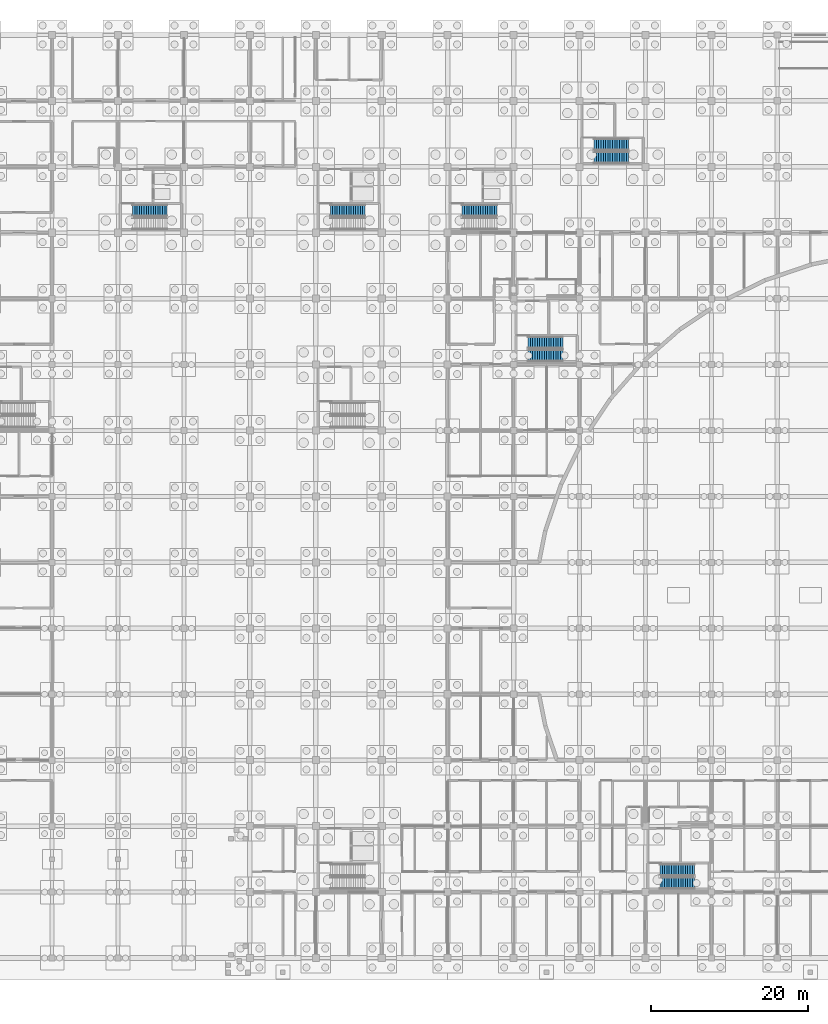
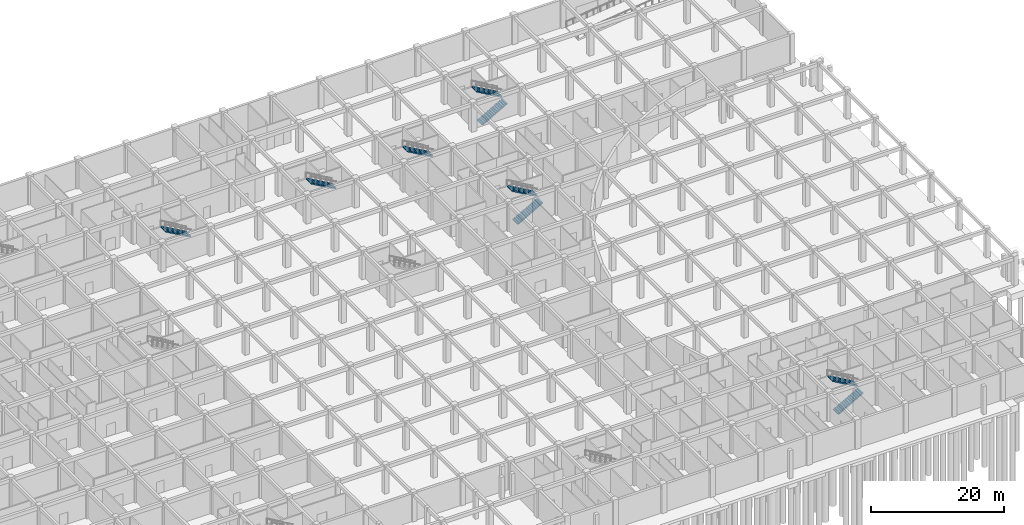
# One storey, part 52 of 65: 9 stair flights, 6 elements without a shape of their own.
"""IFC4 building model written with IfcOpenShell, lengths in metres."""

from ifc_helpers import new_model, si_unit, direction, frame, origin, place, context, subcontext, project, spatial, polyline, outline, extrude, material, type_object, element, aggregate, save


model = new_model("IFC4")

# Units and contexts
model_context = context("Model", 3, precision=1e-05, world=origin(), true_north=direction((0.0, 1.0)))
body_context = subcontext(model_context, "Body", "Model", "MODEL_VIEW")
ifc_project = project(units=[si_unit("LENGTHUNIT", "METRE"), si_unit("AREAUNIT", "SQUARE_METRE"), si_unit("VOLUMEUNIT", "CUBIC_METRE"), si_unit("PLANEANGLEUNIT", "RADIAN"), si_unit("MASSUNIT", "GRAM", prefix="KILO")], contexts=[model_context])

# Site, building, storey
site_placement = place(None, origin())
site = spatial("IfcSite", under=ifc_project, at=site_placement, CompositionType="ELEMENT")
building_placement = place(site_placement, origin())
building = spatial("IfcBuilding", under=site, at=building_placement, Name="Bramfleet General Hospital", CompositionType="ELEMENT")
storey_placement = place(building_placement, frame((0.0, 0.0, -5.39990234375)))
storey = spatial("IfcBuildingStorey", under=building, at=storey_placement, Name="B1", CompositionType="ELEMENT", Elevation=-5.39990234375)

# Stair, stair flight
ifc_material = material(Name="Concrete C35/45", Category="concrete")
stair_type = type_object("IfcStairType", Name="STR-T1", PredefinedType="HALF_TURN_STAIR", material=ifc_material)
stair_1_placement = place(storey_placement, origin())
stair_1 = element("IfcStair", 1, at=stair_1_placement, inside=storey, type_object=stair_type, Name="B1 Core C4 (Central Spine & Helipad Trauma) Protected Escape Stair", PredefinedType="HALF_TURN_STAIR")
stair_flight_type = type_object("IfcStairFlightType", Name="STF-T1", PredefinedType="STRAIGHT", material=ifc_material)
stair_flight_1_placement = place(storey_placement, frame((107.06494140625, 95.22998046875, 2.699951171875), z_axis=(0.0, 0.0, 1.0), x_axis=(-1.0, 0.0, 0.0)))
stair_flight_1 = element("IfcStairFlight", 2, at=stair_flight_1_placement, type_object=stair_flight_type, Name="ST-C4 flight 2", NumberOfRisers=16, NumberOfTreads=15, PredefinedType="STRAIGHT", RiserHeight=0.16875, TreadLength=0.295, context=body_context, shape_type="SweptSolid", body=[
    extrude(outline(polyline([(0.0, 0.0), (0.0, 0.168701171875), (0.294921875, 0.168701171875), (0.294921875, 0.33740234375), (0.590087890625, 0.33740234375), (0.590087890625, 0.50634765625), (0.885009765625, 0.50634765625), (0.885009765625, 0.675048828125), (1.179931640625, 0.675048828125), (1.179931640625, 0.84375), (1.47509765625, 0.84375), (1.47509765625, 1.012451171875), (1.77001953125, 1.012451171875), (1.77001953125, 1.18115234375), (2.06494140625, 1.18115234375), (2.06494140625, 1.35009765625), (2.360107421875, 1.35009765625), (2.360107421875, 1.518798828125), (2.655029296875, 1.518798828125), (2.655029296875, 1.6875), (2.949951171875, 1.6875), (2.949951171875, 1.856201171875), (3.2451171875, 1.856201171875), (3.2451171875, 2.02490234375), (3.5400390625, 2.02490234375), (3.5400390625, 2.19384765625), (3.8349609375, 2.19384765625), (3.8349609375, 2.362548828125), (4.1298828125, 2.362548828125), (4.1298828125, 2.53125), (4.425048828125, 2.53125), (4.425048828125, 2.699951171875), (4.425048828125, 2.346923828125), (0.322021484375, 0.0), (0.0, 0.0)])), frame((0.0, 0.75, 0.0), z_axis=(0.0, -1.0, 0.0), x_axis=(1.0, 0.0, 0.0)), (0.0, 0.0, 1.0), 1.5),
])
aggregate(stair_1, [stair_flight_1])

stair_2_placement = place(storey_placement, origin())
stair_2 = element("IfcStair", 3, at=stair_2_placement, inside=storey, type_object=stair_type, Name="B1 Core C5 (North-West Ward Wing) Protected Escape Stair", PredefinedType="HALF_TURN_STAIR")
stair_flight_2_placement = place(storey_placement, frame((81.864990234375, 95.22998046875, 2.699951171875), z_axis=(0.0, 0.0, 1.0), x_axis=(-1.0, 0.0, 0.0)))
stair_flight_2 = element("IfcStairFlight", 4, at=stair_flight_2_placement, type_object=stair_flight_type, Name="ST-C5 flight 2", NumberOfRisers=16, NumberOfTreads=15, PredefinedType="STRAIGHT", RiserHeight=0.16875, TreadLength=0.295, context=body_context, shape_type="SweptSolid", body=[
    extrude(outline(polyline([(0.0, 0.0), (0.0, 0.168701171875), (0.294921875, 0.168701171875), (0.294921875, 0.33740234375), (0.590087890625, 0.33740234375), (0.590087890625, 0.50634765625), (0.885009765625, 0.50634765625), (0.885009765625, 0.675048828125), (1.179931640625, 0.675048828125), (1.179931640625, 0.84375), (1.47509765625, 0.84375), (1.47509765625, 1.012451171875), (1.77001953125, 1.012451171875), (1.77001953125, 1.18115234375), (2.06494140625, 1.18115234375), (2.06494140625, 1.35009765625), (2.360107421875, 1.35009765625), (2.360107421875, 1.518798828125), (2.655029296875, 1.518798828125), (2.655029296875, 1.6875), (2.949951171875, 1.6875), (2.949951171875, 1.856201171875), (3.2451171875, 1.856201171875), (3.2451171875, 2.02490234375), (3.5400390625, 2.02490234375), (3.5400390625, 2.19384765625), (3.8349609375, 2.19384765625), (3.8349609375, 2.362548828125), (4.1298828125, 2.362548828125), (4.1298828125, 2.53125), (4.425048828125, 2.53125), (4.425048828125, 2.699951171875), (4.425048828125, 2.346923828125), (0.322021484375, 0.0), (0.0, 0.0)])), frame((0.0, 0.75, 0.0), z_axis=(0.0, -1.0, 0.0), x_axis=(1.0, 0.0, 0.0)), (0.0, 0.0, 1.0), 1.5),
])
aggregate(stair_2, [stair_flight_2])

stair_3_placement = place(storey_placement, origin())
stair_3 = element("IfcStair", 5, at=stair_3_placement, inside=storey, type_object=stair_type, Name="B1 Core C6 (North-East Ward & Helipad) Protected Escape Stair", PredefinedType="HALF_TURN_STAIR")
stair_flight_3_placement = place(storey_placement, frame((123.864990234375, 95.22998046875, 2.699951171875), z_axis=(0.0, 0.0, 1.0), x_axis=(-1.0, 0.0, 0.0)))
stair_flight_3 = element("IfcStairFlight", 6, at=stair_flight_3_placement, type_object=stair_flight_type, Name="ST-C6 flight 2", NumberOfRisers=16, NumberOfTreads=15, PredefinedType="STRAIGHT", RiserHeight=0.16875, TreadLength=0.295, context=body_context, shape_type="SweptSolid", body=[
    extrude(outline(polyline([(0.0, 0.0), (0.0, 0.168701171875), (0.294921875, 0.168701171875), (0.294921875, 0.33740234375), (0.590087890625, 0.33740234375), (0.590087890625, 0.50634765625), (0.885009765625, 0.50634765625), (0.885009765625, 0.675048828125), (1.179931640625, 0.675048828125), (1.179931640625, 0.84375), (1.47509765625, 0.84375), (1.47509765625, 1.012451171875), (1.77001953125, 1.012451171875), (1.77001953125, 1.18115234375), (2.06494140625, 1.18115234375), (2.06494140625, 1.35009765625), (2.360107421875, 1.35009765625), (2.360107421875, 1.518798828125), (2.655029296875, 1.518798828125), (2.655029296875, 1.6875), (2.949951171875, 1.6875), (2.949951171875, 1.856201171875), (3.2451171875, 1.856201171875), (3.2451171875, 2.02490234375), (3.5400390625, 2.02490234375), (3.5400390625, 2.19384765625), (3.8349609375, 2.19384765625), (3.8349609375, 2.362548828125), (4.1298828125, 2.362548828125), (4.1298828125, 2.53125), (4.425048828125, 2.53125), (4.425048828125, 2.699951171875), (4.425048828125, 2.346923828125), (0.322021484375, 0.0), (0.0, 0.0)])), frame((0.0, 0.75, 0.0), z_axis=(0.0, -1.0, 0.0), x_axis=(1.0, 0.0, 0.0)), (0.0, 0.0, 1.0), 1.5),
])
aggregate(stair_3, [stair_flight_3])

# Stair, stair flights
stair_4_placement = place(storey_placement, origin())
stair_4 = element("IfcStair", 7, at=stair_4_placement, inside=storey, type_object=stair_type, Name="B1 Core C9 (North-East Ward & Diagnostic Escape) Protected Escape Stair", PredefinedType="HALF_TURN_STAIR")
stair_flight_4_placement = place(storey_placement, frame((136.239990234375, 101.969970703125, 0.0), z_axis=(0.0, 0.0, 1.0), x_axis=(1.0, 0.0, 0.0)))
stair_flight_4 = element("IfcStairFlight", 8, at=stair_flight_4_placement, type_object=stair_flight_type, Name="ST-C9 flight 1", NumberOfRisers=16, NumberOfTreads=15, PredefinedType="STRAIGHT", RiserHeight=0.16875, TreadLength=0.295, context=body_context, shape_type="SweptSolid", body=[
    extrude(outline(polyline([(0.0, 0.0), (0.0, 0.168701171875), (0.294921875, 0.168701171875), (0.294921875, 0.33740234375), (0.590087890625, 0.33740234375), (0.590087890625, 0.50634765625), (0.885009765625, 0.50634765625), (0.885009765625, 0.675048828125), (1.179931640625, 0.675048828125), (1.179931640625, 0.84375), (1.47509765625, 0.84375), (1.47509765625, 1.012451171875), (1.77001953125, 1.012451171875), (1.77001953125, 1.18115234375), (2.06494140625, 1.18115234375), (2.06494140625, 1.35009765625), (2.360107421875, 1.35009765625), (2.360107421875, 1.518798828125), (2.655029296875, 1.518798828125), (2.655029296875, 1.6875), (2.949951171875, 1.6875), (2.949951171875, 1.856201171875), (3.2451171875, 1.856201171875), (3.2451171875, 2.02490234375), (3.5400390625, 2.02490234375), (3.5400390625, 2.19384765625), (3.8349609375, 2.19384765625), (3.8349609375, 2.362548828125), (4.1298828125, 2.362548828125), (4.1298828125, 2.53125), (4.425048828125, 2.53125), (4.425048828125, 2.699951171875), (4.425048828125, 2.346923828125), (0.322021484375, 0.0), (0.0, 0.0)])), frame((0.0, 0.75, 0.0), z_axis=(0.0, -1.0, 0.0), x_axis=(1.0, 0.0, 0.0)), (0.0, 0.0, 1.0), 1.5),
])
stair_flight_5_placement = place(storey_placement, frame((140.6650390625, 103.6298828125, 2.699951171875), z_axis=(0.0, 0.0, 1.0), x_axis=(-1.0, 0.0, 0.0)))
stair_flight_5 = element("IfcStairFlight", 9, at=stair_flight_5_placement, type_object=stair_flight_type, Name="ST-C9 flight 2", NumberOfRisers=16, NumberOfTreads=15, PredefinedType="STRAIGHT", RiserHeight=0.16875, TreadLength=0.295, context=body_context, shape_type="SweptSolid", body=[
    extrude(outline(polyline([(0.0, 0.0), (0.0, 0.168701171875), (0.294921875, 0.168701171875), (0.294921875, 0.33740234375), (0.590087890625, 0.33740234375), (0.590087890625, 0.50634765625), (0.885009765625, 0.50634765625), (0.885009765625, 0.675048828125), (1.179931640625, 0.675048828125), (1.179931640625, 0.84375), (1.47509765625, 0.84375), (1.47509765625, 1.012451171875), (1.77001953125, 1.012451171875), (1.77001953125, 1.18115234375), (2.06494140625, 1.18115234375), (2.06494140625, 1.35009765625), (2.360107421875, 1.35009765625), (2.360107421875, 1.518798828125), (2.655029296875, 1.518798828125), (2.655029296875, 1.6875), (2.949951171875, 1.6875), (2.949951171875, 1.856201171875), (3.2451171875, 1.856201171875), (3.2451171875, 2.02490234375), (3.5400390625, 2.02490234375), (3.5400390625, 2.19384765625), (3.8349609375, 2.19384765625), (3.8349609375, 2.362548828125), (4.1298828125, 2.362548828125), (4.1298828125, 2.53125), (4.425048828125, 2.53125), (4.425048828125, 2.699951171875), (4.425048828125, 2.346923828125), (0.322021484375, 0.0), (0.0, 0.0)])), frame((0.0, 0.75, 0.0), z_axis=(0.0, -1.0, 0.0), x_axis=(1.0, 0.0, 0.0)), (0.0, 0.0, 1.0), 1.5),
])
aggregate(stair_4, [stair_flight_4, stair_flight_5])

stair_5_placement = place(storey_placement, origin())
stair_5 = element("IfcStair", 10, at=stair_5_placement, inside=storey, type_object=stair_type, Name="B1 Core C10 (South-East Clinic & Ward Escape) Protected Escape Stair", PredefinedType="HALF_TURN_STAIR")
stair_flight_6_placement = place(storey_placement, frame((144.639892578125, 9.570068359375, 0.0), z_axis=(0.0, 0.0, 1.0), x_axis=(1.0, 0.0, 0.0)))
stair_flight_6 = element("IfcStairFlight", 11, at=stair_flight_6_placement, type_object=stair_flight_type, Name="ST-C10 flight 1", NumberOfRisers=16, NumberOfTreads=15, PredefinedType="STRAIGHT", RiserHeight=0.16875, TreadLength=0.295, context=body_context, shape_type="SweptSolid", body=[
    extrude(outline(polyline([(0.0, 0.0), (0.0, 0.168701171875), (0.294921875, 0.168701171875), (0.294921875, 0.33740234375), (0.590087890625, 0.33740234375), (0.590087890625, 0.50634765625), (0.885009765625, 0.50634765625), (0.885009765625, 0.675048828125), (1.179931640625, 0.675048828125), (1.179931640625, 0.84375), (1.47509765625, 0.84375), (1.47509765625, 1.012451171875), (1.77001953125, 1.012451171875), (1.77001953125, 1.18115234375), (2.06494140625, 1.18115234375), (2.06494140625, 1.35009765625), (2.360107421875, 1.35009765625), (2.360107421875, 1.518798828125), (2.655029296875, 1.518798828125), (2.655029296875, 1.6875), (2.949951171875, 1.6875), (2.949951171875, 1.856201171875), (3.2451171875, 1.856201171875), (3.2451171875, 2.02490234375), (3.5400390625, 2.02490234375), (3.5400390625, 2.19384765625), (3.8349609375, 2.19384765625), (3.8349609375, 2.362548828125), (4.1298828125, 2.362548828125), (4.1298828125, 2.53125), (4.425048828125, 2.53125), (4.425048828125, 2.699951171875), (4.425048828125, 2.346923828125), (0.322021484375, 0.0), (0.0, 0.0)])), frame((0.0, 0.75, 0.0), z_axis=(0.0, -1.0, 0.0), x_axis=(1.0, 0.0, 0.0)), (0.0, 0.0, 1.0), 1.5),
])
stair_flight_7_placement = place(storey_placement, frame((149.06494140625, 11.22998046875, 2.699951171875), z_axis=(0.0, 0.0, 1.0), x_axis=(-1.0, 0.0, 0.0)))
stair_flight_7 = element("IfcStairFlight", 12, at=stair_flight_7_placement, type_object=stair_flight_type, Name="ST-C10 flight 2", NumberOfRisers=16, NumberOfTreads=15, PredefinedType="STRAIGHT", RiserHeight=0.16875, TreadLength=0.295, context=body_context, shape_type="SweptSolid", body=[
    extrude(outline(polyline([(0.0, 0.0), (0.0, 0.168701171875), (0.294921875, 0.168701171875), (0.294921875, 0.33740234375), (0.590087890625, 0.33740234375), (0.590087890625, 0.50634765625), (0.885009765625, 0.50634765625), (0.885009765625, 0.675048828125), (1.179931640625, 0.675048828125), (1.179931640625, 0.84375), (1.47509765625, 0.84375), (1.47509765625, 1.012451171875), (1.77001953125, 1.012451171875), (1.77001953125, 1.18115234375), (2.06494140625, 1.18115234375), (2.06494140625, 1.35009765625), (2.360107421875, 1.35009765625), (2.360107421875, 1.518798828125), (2.655029296875, 1.518798828125), (2.655029296875, 1.6875), (2.949951171875, 1.6875), (2.949951171875, 1.856201171875), (3.2451171875, 1.856201171875), (3.2451171875, 2.02490234375), (3.5400390625, 2.02490234375), (3.5400390625, 2.19384765625), (3.8349609375, 2.19384765625), (3.8349609375, 2.362548828125), (4.1298828125, 2.362548828125), (4.1298828125, 2.53125), (4.425048828125, 2.53125), (4.425048828125, 2.699951171875), (4.425048828125, 2.346923828125), (0.322021484375, 0.0), (0.0, 0.0)])), frame((0.0, 0.75, 0.0), z_axis=(0.0, -1.0, 0.0), x_axis=(1.0, 0.0, 0.0)), (0.0, 0.0, 1.0), 1.5),
])
aggregate(stair_5, [stair_flight_6, stair_flight_7])

stair_6_placement = place(storey_placement, origin())
stair_6 = element("IfcStair", 13, at=stair_6_placement, inside=storey, type_object=stair_type, Name="B1 Core C12 (East Diagnostic Base Escape) Protected Escape Stair", PredefinedType="HALF_TURN_STAIR")
stair_flight_8_placement = place(storey_placement, frame((127.840087890625, 76.77001953125, 0.0), z_axis=(0.0, 0.0, 1.0), x_axis=(1.0, 0.0, 0.0)))
stair_flight_8 = element("IfcStairFlight", 14, at=stair_flight_8_placement, type_object=stair_flight_type, Name="ST-C12 flight 1", NumberOfRisers=16, NumberOfTreads=15, PredefinedType="STRAIGHT", RiserHeight=0.16875, TreadLength=0.295, context=body_context, shape_type="SweptSolid", body=[
    extrude(outline(polyline([(0.0, 0.0), (0.0, 0.168701171875), (0.294921875, 0.168701171875), (0.294921875, 0.33740234375), (0.590087890625, 0.33740234375), (0.590087890625, 0.50634765625), (0.885009765625, 0.50634765625), (0.885009765625, 0.675048828125), (1.179931640625, 0.675048828125), (1.179931640625, 0.84375), (1.47509765625, 0.84375), (1.47509765625, 1.012451171875), (1.77001953125, 1.012451171875), (1.77001953125, 1.18115234375), (2.06494140625, 1.18115234375), (2.06494140625, 1.35009765625), (2.360107421875, 1.35009765625), (2.360107421875, 1.518798828125), (2.655029296875, 1.518798828125), (2.655029296875, 1.6875), (2.949951171875, 1.6875), (2.949951171875, 1.856201171875), (3.2451171875, 1.856201171875), (3.2451171875, 2.02490234375), (3.5400390625, 2.02490234375), (3.5400390625, 2.19384765625), (3.8349609375, 2.19384765625), (3.8349609375, 2.362548828125), (4.1298828125, 2.362548828125), (4.1298828125, 2.53125), (4.425048828125, 2.53125), (4.425048828125, 2.699951171875), (4.425048828125, 2.346923828125), (0.322021484375, 0.0), (0.0, 0.0)])), frame((0.0, 0.75, 0.0), z_axis=(0.0, -1.0, 0.0), x_axis=(1.0, 0.0, 0.0)), (0.0, 0.0, 1.0), 1.5),
])
stair_flight_9_placement = place(storey_placement, frame((132.264892578125, 78.429931640625, 2.699951171875), z_axis=(0.0, 0.0, 1.0), x_axis=(-1.0, 0.0, 0.0)))
stair_flight_9 = element("IfcStairFlight", 15, at=stair_flight_9_placement, type_object=stair_flight_type, Name="ST-C12 flight 2", NumberOfRisers=16, NumberOfTreads=15, PredefinedType="STRAIGHT", RiserHeight=0.16875, TreadLength=0.295, context=body_context, shape_type="SweptSolid", body=[
    extrude(outline(polyline([(0.0, 0.0), (0.0, 0.168701171875), (0.294921875, 0.168701171875), (0.294921875, 0.33740234375), (0.590087890625, 0.33740234375), (0.590087890625, 0.50634765625), (0.885009765625, 0.50634765625), (0.885009765625, 0.675048828125), (1.179931640625, 0.675048828125), (1.179931640625, 0.84375), (1.47509765625, 0.84375), (1.47509765625, 1.012451171875), (1.77001953125, 1.012451171875), (1.77001953125, 1.18115234375), (2.06494140625, 1.18115234375), (2.06494140625, 1.35009765625), (2.360107421875, 1.35009765625), (2.360107421875, 1.518798828125), (2.655029296875, 1.518798828125), (2.655029296875, 1.6875), (2.949951171875, 1.6875), (2.949951171875, 1.856201171875), (3.2451171875, 1.856201171875), (3.2451171875, 2.02490234375), (3.5400390625, 2.02490234375), (3.5400390625, 2.19384765625), (3.8349609375, 2.19384765625), (3.8349609375, 2.362548828125), (4.1298828125, 2.362548828125), (4.1298828125, 2.53125), (4.425048828125, 2.53125), (4.425048828125, 2.699951171875), (4.425048828125, 2.346923828125), (0.322021484375, 0.0), (0.0, 0.0)])), frame((0.0, 0.75, 0.0), z_axis=(0.0, -1.0, 0.0), x_axis=(1.0, 0.0, 0.0)), (0.0, 0.0, 1.0), 1.5),
])
aggregate(stair_6, [stair_flight_8, stair_flight_9])

save(model, "model.ifc")
